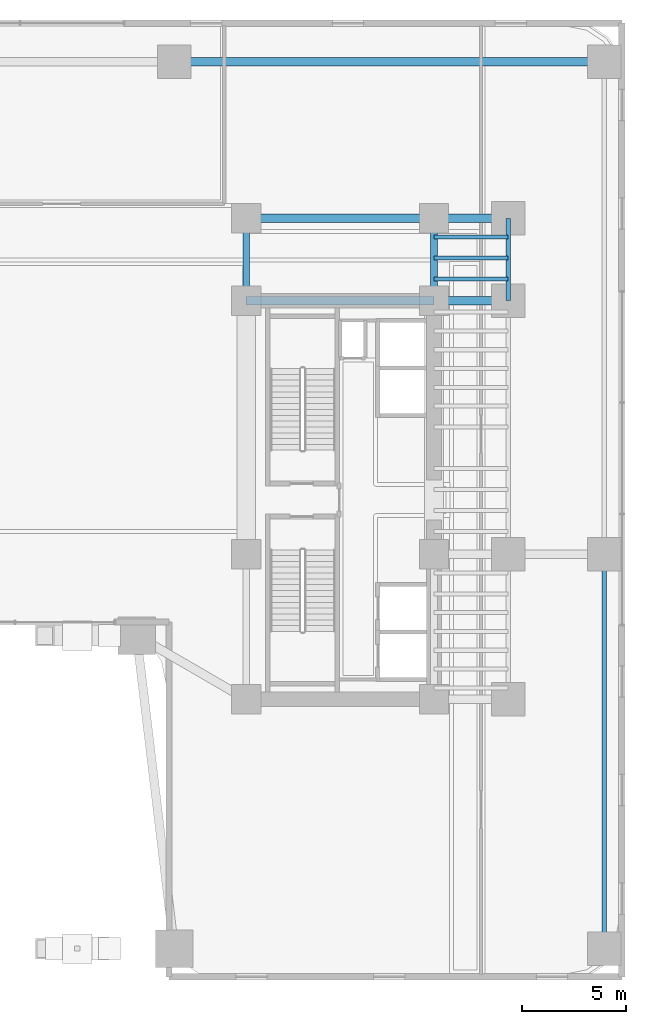
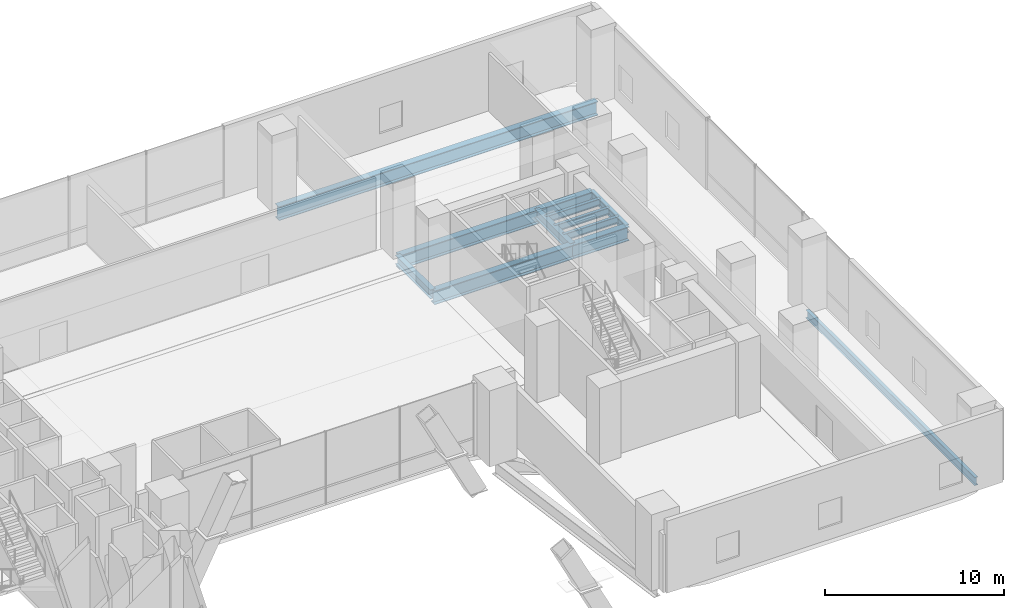
# One storey, part 19 of 39: 12 beams.
"""IFC4 building model written with IfcOpenShell, lengths in metres."""

import ifcopenshell
import ifcopenshell.guid

model = None  # the IFC model being written
_history = None  # IfcOwnerHistory: only IFC2X3 demands one
_inside = {}  # id of a spatial element -> (the spatial element, [elements in it])
_under = {}  # id of a project, library or spatial element -> (it, [spatial elements below it])
_declared = {}  # id of a project -> (the project, [libraries it declares])
_typed = {}  # id of a type object -> (the type object, [elements of that type])
_made_of = {}  # id of a material, layer set ... -> (it, [elements and type objects made of it])


def new_model(schema):
    """Start an empty IFC model of exactly this schema.

    Asked for "IFC4X3", IfcOpenShell would pick the latest addendum, in which some entities
    have other attributes; the version numbers below select the first issue.
    IFC2X3 requires an IfcOwnerHistory on every rooted entity: one is made here for all.
    """
    global model, _history
    if schema == "IFC4X3":
        model = ifcopenshell.file(schema_version=(4, 3, 0, 0))
    else:
        model = ifcopenshell.file(schema=schema)
    _inside.clear()
    _under.clear()
    _declared.clear()
    _typed.clear()
    _made_of.clear()
    _history = None
    if model.schema == "IFC2X3":
        org = make("IfcOrganization", Name="unknown")
        user = make(
            "IfcPersonAndOrganization",
            ThePerson=make("IfcPerson", FamilyName="unknown"),
            TheOrganization=org,
        )
        app = make(
            "IfcApplication",
            ApplicationDeveloper=org,
            Version="unknown",
            ApplicationFullName="unknown",
            ApplicationIdentifier="unknown",
        )
        _history = make(
            "IfcOwnerHistory",
            OwningUser=user,
            OwningApplication=app,
            ChangeAction="ADDED",
            CreationDate=0,
        )
    return model


def make(cls, **values):
    """One entity of the class cls with the attributes given. An attribute that is None is left unset."""
    return model.create_entity(
        cls, **{name: value for name, value in values.items() if value is not None}
    )


def rooted(cls, **values):
    """An entity with a GlobalId (a new one), such as an element, a storey or a relation."""
    return make(cls, GlobalId=ifcopenshell.guid.new(), OwnerHistory=_history, **values)


def si_unit(unit_type, name, prefix=None):
    """IfcSIUnit, for example si_unit("LENGTHUNIT", "METRE", prefix="MILLI")."""
    return make("IfcSIUnit", UnitType=unit_type, Prefix=prefix, Name=name)


def assignment(units):
    """IfcUnitAssignment: the units of a project."""
    return None if units is None else make("IfcUnitAssignment", Units=units)


def point(xyz):
    """IfcCartesianPoint."""
    return None if xyz is None else make("IfcCartesianPoint", Coordinates=xyz)


def direction(xyz):
    """IfcDirection."""
    return None if xyz is None else make("IfcDirection", DirectionRatios=xyz)


def frame(location, z_axis=None, x_axis=None):
    """IfcAxis2Placement3D, a coordinate frame: its origin and axes. An axis left out is left unset."""
    return make(
        "IfcAxis2Placement3D",
        Location=point(location),
        Axis=direction(z_axis),
        RefDirection=direction(x_axis),
    )


def frame_2d(location, x_axis=None):
    """IfcAxis2Placement2D, a coordinate frame in the plane: its origin and x axis."""
    return make(
        "IfcAxis2Placement2D", Location=point(location), RefDirection=direction(x_axis)
    )


def origin():
    """The frame at (0, 0, 0) with its axes left unset."""
    return frame((0.0, 0.0, 0.0))


def origin_2d():
    """The frame at (0, 0) in the plane with its x axis left unset."""
    return frame_2d((0.0, 0.0))


def place(relative_to, where):
    """IfcLocalPlacement: puts the frame where relative to a parent placement (None: the world)."""
    return make(
        "IfcLocalPlacement", PlacementRelTo=relative_to, RelativePlacement=where
    )


def context(
    kind, dimensions, precision=None, world=None, true_north=None, identifier=None
):
    """IfcGeometricRepresentationContext, for example the 3D "Model" context."""
    return make(
        "IfcGeometricRepresentationContext",
        ContextIdentifier=identifier,
        ContextType=kind,
        CoordinateSpaceDimension=dimensions,
        Precision=precision,
        WorldCoordinateSystem=world,
        TrueNorth=true_north,
    )


def subcontext(parent, identifier, kind, view, scale=None):
    """IfcGeometricRepresentationSubContext, for example "Body" below "Model"."""
    return make(
        "IfcGeometricRepresentationSubContext",
        ContextIdentifier=identifier,
        ContextType=kind,
        ParentContext=parent,
        TargetScale=scale,
        TargetView=view,
    )


def project(units=None, contexts=None):
    """IfcProject with its units and contexts."""
    return rooted(
        "IfcProject",
        Name="project",
        RepresentationContexts=contexts,
        UnitsInContext=assignment(units),
    )


def spatial(cls, under=None, at=None, **own):
    """A site, building, storey or space (cls), placed at a placement, below another one or the project."""
    s = rooted(cls, ObjectPlacement=at, **own)
    if under is not None:
        _under.setdefault(under.id(), (under, []))[1].append(s)
    return s


def profile(cls, at=None, kind="AREA", **sizes):
    """A parametric profile (cls). Its sizes go by their IFC names, for example OverallWidth=200.0."""
    return make(cls, ProfileType=kind, Position=at, **sizes)


def i_section(**sizes):
    """IfcIShapeProfileDef."""
    return profile("IfcIShapeProfileDef", **sizes)


def extrude(swept, where, along, depth):
    """IfcExtrudedAreaSolid: the profile swept, set in the frame where, extruded along a direction by depth."""
    return make(
        "IfcExtrudedAreaSolid",
        SweptArea=swept,
        Position=where,
        ExtrudedDirection=direction(along),
        Depth=depth,
    )


def shape(context_of_items, identifier, shape_type, items):
    """IfcShapeRepresentation: the items that make up one representation, for example the "Body"."""
    return make(
        "IfcShapeRepresentation",
        ContextOfItems=context_of_items,
        RepresentationIdentifier=identifier,
        RepresentationType=shape_type,
        Items=items,
    )


def source(mapping_origin, context_of_items, identifier, shape_type, items):
    """IfcRepresentationMap: a shape defined once, which mapped items show again and again."""
    return make(
        "IfcRepresentationMap",
        MappingOrigin=mapping_origin,
        MappedRepresentation=shape(context_of_items, identifier, shape_type, items),
    )


def transform(
    local_origin,
    x_axis=None,
    y_axis=None,
    z_axis=None,
    scale=None,
    scale2=None,
    scale3=None,
    uniform=True,
):
    """IfcCartesianTransformationOperator3D, or its non-uniform kind. x_axis, y_axis, z_axis: its Axis1, 2, 3."""
    if uniform:
        return make(
            "IfcCartesianTransformationOperator3D",
            Axis1=direction(x_axis),
            Axis2=direction(y_axis),
            LocalOrigin=point(local_origin),
            Scale=scale,
            Axis3=direction(z_axis),
        )
    return make(
        "IfcCartesianTransformationOperator3DnonUniform",
        Axis1=direction(x_axis),
        Axis2=direction(y_axis),
        LocalOrigin=point(local_origin),
        Scale=scale,
        Axis3=direction(z_axis),
        Scale2=scale2,
        Scale3=scale3,
    )


def mapped(mapping_source, mapping_target):
    """IfcMappedItem: shows the shape of a source again, moved by a transform."""
    return make(
        "IfcMappedItem", MappingSource=mapping_source, MappingTarget=mapping_target
    )


def material(Name=None, Category=None):
    """IfcMaterial."""
    return make("IfcMaterial", Name=Name, Category=Category)


def material_profile(
    of_material, cross_section, Name=None, Category=None, Priority=None
):
    """IfcMaterialProfile: a cross section and its material."""
    return make(
        "IfcMaterialProfile",
        Name=Name,
        Material=of_material,
        Profile=cross_section,
        Priority=Priority,
        Category=Category,
    )


def profile_set(profiles, Name=None, composite=None):
    """IfcMaterialProfileSet."""
    return make(
        "IfcMaterialProfileSet",
        Name=Name,
        MaterialProfiles=profiles,
        CompositeProfile=composite,
    )


def made_of(thing, what):
    """Note that an element or type object is made of a material, layer set ...; save() writes the relation."""
    if what is not None:
        _made_of.setdefault(what.id(), (what, []))[1].append(thing)
    return thing


def type_object(cls, material=None, **own):
    """A type object (cls), such as IfcWallType, which elements share."""
    return made_of(rooted(cls, **own), material)


def element(
    cls,
    number,
    at=None,
    inside=None,
    cuts=None,
    type_object=None,
    material=None,
    context=None,
    identifier="Body",
    shape_type=None,
    held_by="IfcProductDefinitionShape",
    body=None,
    shapes=None,
    **own,
):
    """One element of the class cls, such as IfcWall. Its Tag is "e" and its number.

    at: its placement. inside: the storey or other place that contains it. cuts: it is an
    opening in that element (IfcRelVoidsElement). A single representation is given by context,
    identifier, shape_type and body (its items); several are given by shapes. held_by: the class
    of the entity that holds the representations. save() writes the other relations.
    """
    e = rooted(cls, Tag="e%d" % number, ObjectPlacement=at, **own)
    if body is not None:
        shapes = [shape(context, identifier, shape_type, body)]
    if shapes is not None:
        e.Representation = make(held_by, Representations=shapes)
    if inside is not None:
        _inside.setdefault(inside.id(), (inside, []))[1].append(e)
    if cuts is not None:
        rooted(
            "IfcRelVoidsElement", RelatingBuildingElement=cuts, RelatedOpeningElement=e
        )
    if type_object is not None:
        _typed.setdefault(type_object.id(), (type_object, []))[1].append(e)
    return made_of(e, material)


def aggregate(whole, parts):
    """IfcRelAggregates: a whole, such as a stair, and the parts it consists of."""
    return rooted("IfcRelAggregates", RelatingObject=whole, RelatedObjects=parts)


def save(model, path):
    """Write the relations noted so far, then the file.

    IfcRelAggregates (storeys below a building ...), IfcRelContainedInSpatialStructure (elements
    in a storey), IfcRelDefinesByType, IfcRelAssociatesMaterial and IfcRelDeclares: one each for
    every whole, place, type object, material and project.
    """
    for whole, parts in _under.values():
        aggregate(whole, parts)
    for where, things in _inside.values():
        rooted(
            "IfcRelContainedInSpatialStructure",
            RelatedElements=things,
            RelatingStructure=where,
        )
    for kind, things in _typed.values():
        rooted("IfcRelDefinesByType", RelatedObjects=things, RelatingType=kind)
    for what, things in _made_of.values():
        rooted("IfcRelAssociatesMaterial", RelatedObjects=things, RelatingMaterial=what)
    for by, libraries in _declared.values():
        rooted("IfcRelDeclares", RelatingContext=by, RelatedDefinitions=libraries)
    model.write(path)


model = new_model("IFC4")

# Units and contexts
model_context = context("Model", 3, precision=1e-05, world=origin(), true_north=direction((0.0, 1.0)))
body_context = subcontext(model_context, "Body", "Model", "MODEL_VIEW")
ifc_project = project(units=[si_unit("LENGTHUNIT", "METRE"), si_unit("AREAUNIT", "SQUARE_METRE"), si_unit("VOLUMEUNIT", "CUBIC_METRE"), si_unit("PLANEANGLEUNIT", "RADIAN"), si_unit("MASSUNIT", "GRAM", prefix="KILO")], contexts=[model_context])

# Site, building, storey
site_placement = place(None, origin())
site = spatial("IfcSite", under=ifc_project, at=site_placement, CompositionType="ELEMENT")
building_placement = place(site_placement, origin())
building = spatial("IfcBuilding", under=site, at=building_placement, Name="Valdorenza Pilgrim Sanctuary Tower", CompositionType="ELEMENT")
storey_placement = place(building_placement, frame((0.0, 0.0, 10.39990234375)))
storey = spatial("IfcBuildingStorey", under=building, at=storey_placement, Name="L02", CompositionType="ELEMENT", Elevation=10.39990234375)

# Beams
ifc_material = material(Name="Steel ASTM A992 Grade 50", Category="steel")
ifc_material_profile_1 = material_profile(ifc_material, i_section(OverallWidth=0.423095703125, OverallDepth=0.947998046875, WebThickness=0.02392578125, FlangeThickness=0.042724609375, at=origin_2d()), Name="W36X302")
ifc_profile_set_1 = profile_set([ifc_material_profile_1], Name="Steel ASTM A992 Grade 50")
beam_type_1 = type_object("IfcBeamType", Name="STR-BM-GRD-W36A", PredefinedType="BEAM", material=ifc_profile_set_1)
shared_shape_1 = source(origin(), body_context, "Body", "SweptSolid", [
    extrude(i_section(OverallWidth=0.423095703125, OverallDepth=0.947998046875, WebThickness=0.02392578125, FlangeThickness=0.042724609375, at=origin_2d()), origin(), (0.0, 0.0, 1.0), 9.0),
])
for number, where, z_axis, x_axis, name in (
    (1, (15.85009765625, 9.550048828125, -0.75390625), (1.0, 0.0, 0.0), (0.0, 1.0, 0.0), "L02 Floor Girder CB-XC-N1"),
    (2, (15.85009765625, 13.5, -0.75390625), (1.0, 0.0, 0.0), (0.0, 1.0, 0.0), "L02 Floor Girder CB-XC-N2"),
):
    element("IfcBeam", number, at=place(storey_placement, frame(where, z_axis=z_axis, x_axis=x_axis)), inside=storey, type_object=beam_type_1, Name=name, PredefinedType="BEAM", context=body_context, shape_type="MappedRepresentation", body=[
        mapped(shared_shape_1, transform((0.0, 0.0, 0.0), x_axis=(1.0, 0.0, 0.0), y_axis=(0.0, 1.0, 0.0), z_axis=(0.0, 0.0, 1.0), scale=1.0)),
    ])
shared_shape_2 = source(origin(), body_context, "Body", "SweptSolid", [
    extrude(i_section(OverallWidth=0.423095703125, OverallDepth=0.947998046875, WebThickness=0.02392578125, FlangeThickness=0.042724609375, at=origin_2d()), origin(), (0.0, 0.0, 1.0), 3.5498046875),
])
for number, where, z_axis, x_axis, name in (
    (3, (24.85009765625, 9.550048828125, -0.75390625), (1.0, 0.0, 0.0), (0.0, 1.0, 0.0), "L02 Floor Girder WB-XE-N1"),
    (4, (24.85009765625, 13.5, -0.75390625), (1.0, 0.0, 0.0), (0.0, 1.0, 0.0), "L02 Floor Girder WB-XE-N2"),
):
    element("IfcBeam", number, at=place(storey_placement, frame(where, z_axis=z_axis, x_axis=x_axis)), inside=storey, type_object=beam_type_1, Name=name, PredefinedType="BEAM", context=body_context, shape_type="MappedRepresentation", body=[
        mapped(shared_shape_2, transform((0.0, 0.0, 0.0), x_axis=(1.0, 0.0, 0.0), y_axis=(0.0, 1.0, 0.0), z_axis=(0.0, 0.0, 1.0), scale=1.0)),
    ])
ifc_material_profile_2 = material_profile(ifc_material, i_section(OverallWidth=0.323974609375, OverallDepth=0.611083984375, WebThickness=0.0126953125, FlangeThickness=0.01904296875, at=origin_2d()), Name="W24X104")
ifc_profile_set_2 = profile_set([ifc_material_profile_2], Name="Steel ASTM A992 Grade 50")
beam_type_2 = type_object("IfcBeamType", Name="STR-BM-GRD-W24B", PredefinedType="BEAM", material=ifc_profile_set_2)
shared_shape_3 = source(origin(), body_context, "Body", "SweptSolid", [
    extrude(i_section(OverallWidth=0.323974609375, OverallDepth=0.611083984375, WebThickness=0.0126953125, FlangeThickness=0.01904296875, at=origin_2d()), origin(), (0.0, 0.0, 1.0), 3.949951171875),
])
for number, where, z_axis, x_axis, name in (
    (5, (15.85009765625, 9.550048828125, -0.58544921875), (0.0, 1.0, 0.0), (-1.0, 0.0, 0.0), "L02 Core Tie Girder CB-W-N1N2"),
    (6, (24.85009765625, 9.550048828125, -0.58544921875), (0.0, 1.0, 0.0), (-1.0, 0.0, 0.0), "L02 Core Tie Girder CB-E-N1N2"),
):
    element("IfcBeam", number, at=place(storey_placement, frame(where, z_axis=z_axis, x_axis=x_axis)), inside=storey, type_object=beam_type_2, Name=name, PredefinedType="BEAM", context=body_context, shape_type="MappedRepresentation", body=[
        mapped(shared_shape_3, transform((0.0, 0.0, 0.0), x_axis=(1.0, 0.0, 0.0), y_axis=(0.0, 1.0, 0.0), z_axis=(0.0, 0.0, 1.0), scale=1.0)),
    ])
ifc_material_profile_3 = material_profile(ifc_material, i_section(OverallWidth=0.214111328125, OverallDepth=0.549072265625, WebThickness=0.0146484375, FlangeThickness=0.023681640625, at=origin_2d()), Name="W21X93")
ifc_profile_set_3 = profile_set([ifc_material_profile_3], Name="Steel ASTM A992 Grade 50")
beam_type_3 = type_object("IfcBeamType", Name="STR-BM-SPN-W21A", PredefinedType="SPANDREL", material=ifc_profile_set_3)
shared_shape_4 = source(origin(), body_context, "Body", "SweptSolid", [
    extrude(i_section(OverallWidth=0.214111328125, OverallDepth=0.549072265625, WebThickness=0.0146484375, FlangeThickness=0.023681640625, at=origin_2d()), origin(), (0.0, 0.0, 1.0), 3.949951171875),
])
beam_1_placement = place(storey_placement, frame((28.39990234375, 9.550048828125, -0.554443359375), z_axis=(0.0, 1.0, 0.0), x_axis=(-1.0, 0.0, 0.0)))
element("IfcBeam", 7, at=beam_1_placement, inside=storey, type_object=beam_type_3, Name="L02 Spandrel Beam WB-E-N1N2", PredefinedType="SPANDREL", context=body_context, shape_type="MappedRepresentation", body=[
    mapped(shared_shape_4, transform((0.0, 0.0, 0.0), x_axis=(1.0, 0.0, 0.0), y_axis=(0.0, 1.0, 0.0), z_axis=(0.0, 0.0, 1.0), scale=1.0)),
])
ifc_material_profile_4 = material_profile(ifc_material, i_section(OverallWidth=0.193115234375, OverallDepth=0.466064453125, WebThickness=0.011474609375, FlangeThickness=0.01904296875, at=origin_2d()), Name="W18X65")
ifc_profile_set_4 = profile_set([ifc_material_profile_4], Name="Steel ASTM A992 Grade 50")
beam_type_4 = type_object("IfcBeamType", Name="STR-BM-JST-W18A", PredefinedType="JOIST", material=ifc_profile_set_4)
shared_shape_5 = source(origin(), body_context, "Body", "SweptSolid", [
    extrude(i_section(OverallWidth=0.193115234375, OverallDepth=0.466064453125, WebThickness=0.011474609375, FlangeThickness=0.01904296875, at=origin_2d()), origin(), (0.0, 0.0, 1.0), 3.5498046875),
])
for number, where, z_axis, x_axis, name in (
    (8, (24.85009765625, 10.60009765625, -0.512939453125), (1.0, 0.0, 0.0), (0.0, 1.0, 0.0), "L02 Composite Floor Joist JST-WB-19"),
    (9, (24.85009765625, 11.60009765625, -0.512939453125), (1.0, 0.0, 0.0), (0.0, 1.0, 0.0), "L02 Composite Floor Joist JST-WB-20"),
    (10, (24.85009765625, 12.60009765625, -0.512939453125), (1.0, 0.0, 0.0), (0.0, 1.0, 0.0), "L02 Composite Floor Joist JST-WB-21"),
):
    element("IfcBeam", number, at=place(storey_placement, frame(where, z_axis=z_axis, x_axis=x_axis)), inside=storey, type_object=beam_type_4, Name=name, PredefinedType="JOIST", context=body_context, shape_type="MappedRepresentation", body=[
        mapped(shared_shape_5, transform((0.0, 0.0, 0.0), x_axis=(1.0, 0.0, 0.0), y_axis=(0.0, 1.0, 0.0), z_axis=(0.0, 0.0, 1.0), scale=1.0)),
    ])
shared_shape_6 = source(origin(), body_context, "Body", "SweptSolid", [
    extrude(i_section(OverallWidth=0.214111328125, OverallDepth=0.549072265625, WebThickness=0.0146484375, FlangeThickness=0.023681640625, at=origin_2d()), origin(), (0.0, 0.0, 1.0), 18.89990234375),
])
beam_2_placement = place(storey_placement, frame((33.0, -21.5, -0.554443359375), z_axis=(0.0, 1.0, 0.0), x_axis=(-1.0, 0.0, 0.0)))
element("IfcBeam", 11, at=beam_2_placement, inside=storey, type_object=beam_type_3, Name="L02 Floor Girder POD-SPN-ES", PredefinedType="SPANDREL", context=body_context, shape_type="MappedRepresentation", body=[
    mapped(shared_shape_6, transform((0.0, 0.0, 0.0), x_axis=(1.0, 0.0, 0.0), y_axis=(0.0, 1.0, 0.0), z_axis=(0.0, 0.0, 1.0), scale=1.0)),
])
shared_shape_7 = source(origin(), body_context, "Body", "SweptSolid", [
    extrude(i_section(OverallWidth=0.423095703125, OverallDepth=0.947998046875, WebThickness=0.02392578125, FlangeThickness=0.042724609375, at=origin_2d()), origin(), (0.0, 0.0, 1.0), 20.60009765625),
])
beam_3_placement = place(storey_placement, frame((12.39990234375, 21.0, -0.75390625), z_axis=(1.0, 0.0, 0.0), x_axis=(0.0, 1.0, 0.0)))
element("IfcBeam", 12, at=beam_3_placement, inside=storey, type_object=beam_type_1, Name="L02 Floor Girder POD-N-TIE3", PredefinedType="BEAM", context=body_context, shape_type="MappedRepresentation", body=[
    mapped(shared_shape_7, transform((0.0, 0.0, 0.0), x_axis=(1.0, 0.0, 0.0), y_axis=(0.0, 1.0, 0.0), z_axis=(0.0, 0.0, 1.0), scale=1.0)),
])

save(model, "model.ifc")
